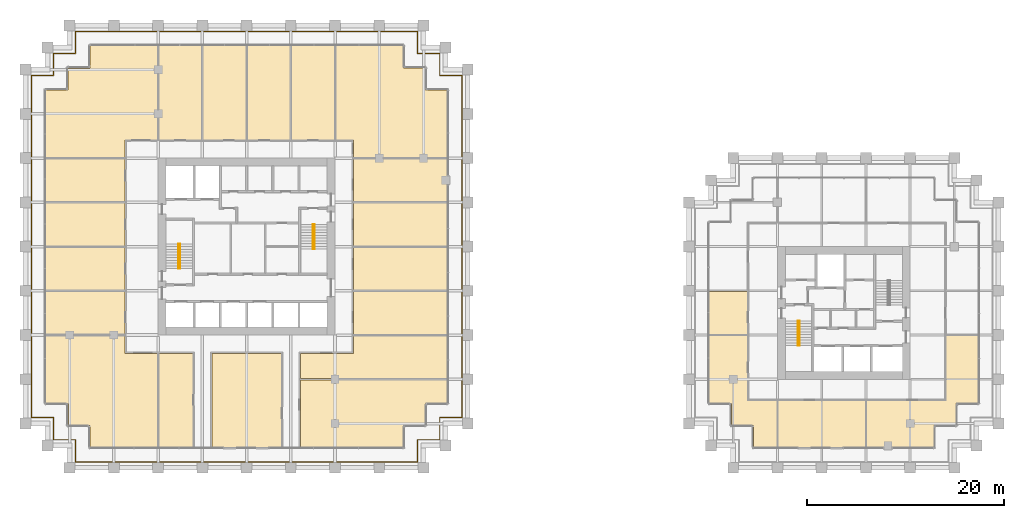
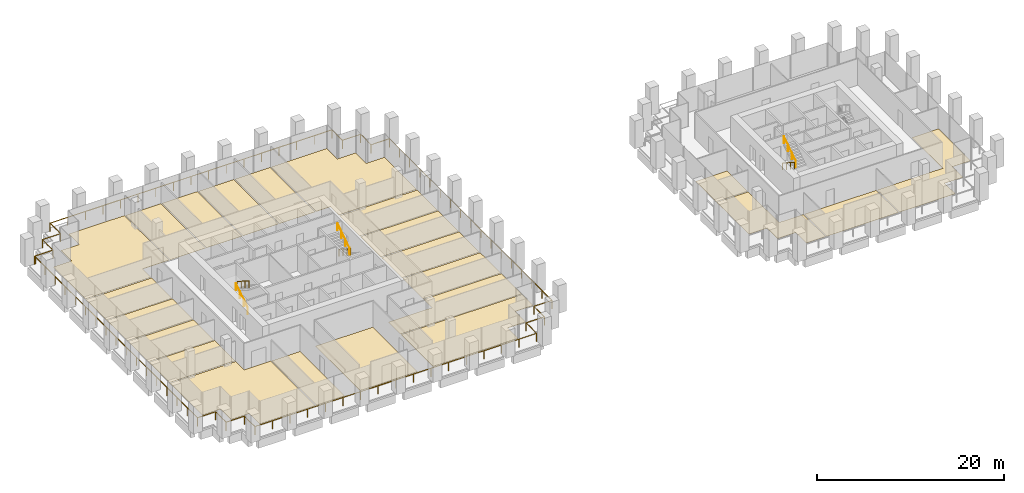
# One storey, part 55 of 56: 23 coverings, 7 railings.
"""IFC4 building model written with IfcOpenShell, lengths in metres."""

from ifc_helpers import new_model, si_unit, direction, frame, origin, origin_2d, place, context, subcontext, project, spatial, polyline, circle, outline, extrude, source, transform, mapped, material, layer, layer_set, type_object, element, save


model = new_model("IFC4")

# Units and contexts
model_context = context("Model", 3, precision=1e-05, world=origin(), true_north=direction((0.0, 1.0)))
body_context = subcontext(model_context, "Body", "Model", "MODEL_VIEW")
ifc_project = project(units=[si_unit("LENGTHUNIT", "METRE"), si_unit("AREAUNIT", "SQUARE_METRE"), si_unit("VOLUMEUNIT", "CUBIC_METRE"), si_unit("PLANEANGLEUNIT", "RADIAN"), si_unit("MASSUNIT", "GRAM", prefix="KILO")], contexts=[model_context])

# Site, building, storey
site_placement = place(None, origin())
site = spatial("IfcSite", under=ifc_project, at=site_placement, CompositionType="ELEMENT")
building_placement = place(site_placement, origin())
building = spatial("IfcBuilding", under=site, at=building_placement, Name="Altepetl Exchange Towers", CompositionType="ELEMENT")
storey_placement = place(building_placement, frame((0.0, 0.0, 72.60009765625)))
storey = spatial("IfcBuildingStorey", under=building, at=storey_placement, Name="L17", CompositionType="ELEMENT", Elevation=72.60009765625)

# Coverings
ifc_material_1 = material(Name="Carpet tile")
ifc_layer_1 = layer(ifc_material_1, 0.02001953125)
ifc_layer_set_1 = layer_set([ifc_layer_1], Name="Carpet tile")
covering_type_1 = type_object("IfcCoveringType", Name="Carpet tile floor", PredefinedType="FLOORING", material=ifc_layer_set_1)
covering_1_placement = place(storey_placement, origin())
element("IfcCovering", 1, at=covering_1_placement, inside=storey, type_object=covering_type_1, Name="Print room floor finish A17.01", PredefinedType="FLOORING", context=body_context, shape_type="SweptSolid", body=[
    extrude(outline(polyline([(37.137451171875, 49.4375), (29.0625, 49.4375), (29.0625, 45.0625), (37.137451171875, 45.0625), (37.137451171875, 49.4375)])), origin(), (0.0, 0.0, 1.0), 0.02001953125),
])
covering_2_placement = place(storey_placement, origin())
element("IfcCovering", 2, at=covering_2_placement, inside=storey, type_object=covering_type_1, Name="Open office floor finish A17.03", PredefinedType="FLOORING", context=body_context, shape_type="SweptSolid", body=[
    extrude(outline(polyline([(37.137451171875, 40.4375), (29.0625, 40.4375), (29.0625, 33.5625), (31.3125, 33.5625), (31.3125, 31.3125), (33.5625, 31.3125), (33.5625, 29.0625), (40.4375, 29.0625), (40.4375, 38.637451171875), (37.137451171875, 38.637451171875), (37.137451171875, 40.4375)])), origin(), (0.0, 0.0, 1.0), 0.02001953125),
])
covering_3_placement = place(storey_placement, origin())
element("IfcCovering", 3, at=covering_3_placement, inside=storey, type_object=covering_type_1, Name="Print room floor finish A17.04", PredefinedType="FLOORING", context=body_context, shape_type="SweptSolid", body=[
    extrude(outline(polyline([(40.5625, 38.637451171875), (40.5625, 29.0625), (44.03759765625, 29.0625), (44.03759765625, 38.637451171875), (40.5625, 38.637451171875)])), origin(), (0.0, 0.0, 1.0), 0.02001953125),
])
covering_4_placement = place(storey_placement, origin())
element("IfcCovering", 4, at=covering_4_placement, inside=storey, type_object=covering_type_1, Name="Meeting room floor finish A17.07", PredefinedType="FLOORING", context=body_context, shape_type="SweptSolid", body=[
    extrude(outline(polyline([(69.9375, 40.4375), (60.362548828125, 40.4375), (60.362548828125, 38.637451171875), (54.96240234375, 38.637451171875), (54.96240234375, 36.0625), (69.9375, 36.0625), (69.9375, 40.4375)])), origin(), (0.0, 0.0, 1.0), 0.02001953125),
])
covering_5_placement = place(storey_placement, origin())
element("IfcCovering", 5, at=covering_5_placement, inside=storey, type_object=covering_type_1, Name="Huddle room floor finish A17.08", PredefinedType="FLOORING", context=body_context, shape_type="SweptSolid", body=[
    extrude(outline(polyline([(69.9375, 44.9375), (60.362548828125, 44.9375), (60.362548828125, 40.5625), (69.9375, 40.5625), (69.9375, 44.9375)])), origin(), (0.0, 0.0, 1.0), 0.02001953125),
])
covering_6_placement = place(storey_placement, origin())
element("IfcCovering", 6, at=covering_6_placement, inside=storey, type_object=covering_type_1, Name="Meeting room floor finish A17.09", PredefinedType="FLOORING", context=body_context, shape_type="SweptSolid", body=[
    extrude(outline(polyline([(69.9375, 49.4375), (60.362548828125, 49.4375), (60.362548828125, 45.0625), (69.9375, 45.0625), (69.9375, 49.4375)])), origin(), (0.0, 0.0, 1.0), 0.02001953125),
])
covering_7_placement = place(storey_placement, origin())
element("IfcCovering", 7, at=covering_7_placement, inside=storey, type_object=covering_type_1, Name="Huddle room floor finish A17.10", PredefinedType="FLOORING", context=body_context, shape_type="SweptSolid", body=[
    extrude(outline(polyline([(69.9375, 53.9375), (60.362548828125, 53.9375), (60.362548828125, 49.5625), (69.9375, 49.5625), (69.9375, 53.9375)])), origin(), (0.0, 0.0, 1.0), 0.02001953125),
])
covering_8_placement = place(storey_placement, origin())
element("IfcCovering", 8, at=covering_8_placement, inside=storey, type_object=covering_type_1, Name="Meeting room floor finish A17.11", PredefinedType="FLOORING", context=body_context, shape_type="SweptSolid", body=[
    extrude(outline(polyline([(69.9375, 58.4375), (60.362548828125, 58.4375), (60.362548828125, 54.0625), (69.9375, 54.0625), (69.9375, 58.4375)])), origin(), (0.0, 0.0, 1.0), 0.02001953125),
])
covering_9_placement = place(storey_placement, origin())
element("IfcCovering", 9, at=covering_9_placement, inside=storey, type_object=covering_type_1, Name="Huddle room floor finish A17.13", PredefinedType="FLOORING", context=body_context, shape_type="SweptSolid", body=[
    extrude(outline(polyline([(54.0625, 69.9375), (54.0625, 60.362548828125), (58.4375, 60.362548828125), (58.4375, 69.9375), (54.0625, 69.9375)])), origin(), (0.0, 0.0, 1.0), 0.02001953125),
])
covering_10_placement = place(storey_placement, origin())
element("IfcCovering", 10, at=covering_10_placement, inside=storey, type_object=covering_type_1, Name="Meeting room floor finish A17.14", PredefinedType="FLOORING", context=body_context, shape_type="SweptSolid", body=[
    extrude(outline(polyline([(49.5625, 69.9375), (49.5625, 60.362548828125), (53.9375, 60.362548828125), (53.9375, 69.9375), (49.5625, 69.9375)])), origin(), (0.0, 0.0, 1.0), 0.02001953125),
])
covering_11_placement = place(storey_placement, origin())
element("IfcCovering", 11, at=covering_11_placement, inside=storey, type_object=covering_type_1, Name="Huddle room floor finish A17.15", PredefinedType="FLOORING", context=body_context, shape_type="SweptSolid", body=[
    extrude(outline(polyline([(45.0625, 69.9375), (45.0625, 60.362548828125), (49.4375, 60.362548828125), (49.4375, 69.9375), (45.0625, 69.9375)])), origin(), (0.0, 0.0, 1.0), 0.02001953125),
])
covering_12_placement = place(storey_placement, origin())
element("IfcCovering", 12, at=covering_12_placement, inside=storey, type_object=covering_type_1, Name="Meeting room floor finish A17.16", PredefinedType="FLOORING", context=body_context, shape_type="SweptSolid", body=[
    extrude(outline(polyline([(40.5625, 69.9375), (40.5625, 60.362548828125), (44.9375, 60.362548828125), (44.9375, 69.9375), (40.5625, 69.9375)])), origin(), (0.0, 0.0, 1.0), 0.02001953125),
])
covering_13_placement = place(storey_placement, origin())
element("IfcCovering", 13, at=covering_13_placement, inside=storey, type_object=covering_type_1, Name="Print room floor finish A17.18", PredefinedType="FLOORING", context=body_context, shape_type="SweptSolid", body=[
    extrude(outline(polyline([(37.137451171875, 58.4375), (29.0625, 58.4375), (29.0625, 54.0625), (37.137451171875, 54.0625), (37.137451171875, 58.4375)])), origin(), (0.0, 0.0, 1.0), 0.02001953125),
])
covering_14_placement = place(storey_placement, origin())
element("IfcCovering", 14, at=covering_14_placement, inside=storey, type_object=covering_type_1, Name="Conference room floor finish B17.01", PredefinedType="FLOORING", context=body_context, shape_type="SweptSolid", body=[
    extrude(outline(polyline([(103.4375, 29.0625), (103.4375, 33.83740234375), (100.4375, 33.83740234375), (100.4375, 40.4375), (96.5625, 40.4375), (96.5625, 33.5625), (98.8125, 33.5625), (98.8125, 31.3125), (101.0625, 31.3125), (101.0625, 29.0625), (103.4375, 29.0625)])), origin(), (0.0, 0.0, 1.0), 0.02001953125),
])
covering_15_placement = place(storey_placement, origin())
element("IfcCovering", 15, at=covering_15_placement, inside=storey, type_object=covering_type_1, Name="Huddle room floor finish B17.02", PredefinedType="FLOORING", context=body_context, shape_type="SweptSolid", body=[
    extrude(outline(polyline([(112.4375, 29.0625), (112.4375, 33.83740234375), (103.5625, 33.83740234375), (103.5625, 29.0625), (112.4375, 29.0625)])), origin(), (0.0, 0.0, 1.0), 0.02001953125),
])
covering_16_placement = place(storey_placement, origin())
element("IfcCovering", 16, at=covering_16_placement, inside=storey, type_object=covering_type_1, Name="Legal office floor finish B17.03", PredefinedType="FLOORING", context=body_context, shape_type="SweptSolid", body=[
    extrude(outline(polyline([(123.9375, 40.4375), (120.66259765625, 40.4375), (120.66259765625, 33.83740234375), (112.5625, 33.83740234375), (112.5625, 29.0625), (119.4375, 29.0625), (119.4375, 31.3125), (121.6875, 31.3125), (121.6875, 33.5625), (123.9375, 33.5625), (123.9375, 40.4375)])), origin(), (0.0, 0.0, 1.0), 0.02001953125),
])
covering_17_placement = place(storey_placement, origin())
element("IfcCovering", 17, at=covering_17_placement, inside=storey, type_object=covering_type_1, Name="Print room floor finish B17.08", PredefinedType="FLOORING", context=body_context, shape_type="SweptSolid", body=[
    extrude(outline(polyline([(96.5625, 40.5625), (100.4375, 40.5625), (100.4375, 44.9375), (96.5625, 44.9375), (96.5625, 40.5625)])), origin(), (0.0, 0.0, 1.0), 0.02001953125),
])
ifc_material_2 = material(Name="Calcium sulphate access floor panel")
ifc_layer_2 = layer(ifc_material_2, 0.0400390625)
ifc_layer_set_2 = layer_set([ifc_layer_2], Name="Calcium sulphate access floor panel")
covering_type_2 = type_object("IfcCoveringType", Name="Raised access floor panels", PredefinedType="FLOORING", material=ifc_layer_set_2)
covering_18_placement = place(storey_placement, origin())
element("IfcCovering", 18, at=covering_18_placement, inside=storey, type_object=covering_type_2, Name="Data room floor finish A17.02", PredefinedType="FLOORING", context=body_context, shape_type="SweptSolid", body=[
    extrude(outline(polyline([(37.137451171875, 44.9375), (29.0625, 44.9375), (29.0625, 40.5625), (37.137451171875, 40.5625), (37.137451171875, 44.9375)])), origin(), (0.0, 0.0, 1.0), 0.039794921875),
])
covering_19_placement = place(storey_placement, origin())
element("IfcCovering", 19, at=covering_19_placement, inside=storey, type_object=covering_type_2, Name="Clearing office floor finish A17.05", PredefinedType="FLOORING", context=body_context, shape_type="SweptSolid", body=[
    extrude(outline(polyline([(45.96240234375, 38.637451171875), (45.96240234375, 29.0625), (53.03759765625, 29.0625), (53.03759765625, 38.637451171875), (45.96240234375, 38.637451171875)])), origin(), (0.0, 0.0, 1.0), 0.039794921875),
])
covering_20_placement = place(storey_placement, origin())
element("IfcCovering", 20, at=covering_20_placement, inside=storey, type_object=covering_type_2, Name="Settlement office floor finish A17.06", PredefinedType="FLOORING", context=body_context, shape_type="SweptSolid", body=[
    extrude(outline(polyline([(69.9375, 35.9375), (54.96240234375, 35.9375), (54.96240234375, 29.0625), (65.4375, 29.0625), (65.4375, 31.3125), (67.6875, 31.3125), (67.6875, 33.5625), (69.9375, 33.5625), (69.9375, 35.9375)])), origin(), (0.0, 0.0, 1.0), 0.039794921875),
])
covering_21_placement = place(storey_placement, origin())
element("IfcCovering", 21, at=covering_21_placement, inside=storey, type_object=covering_type_2, Name="Settlement office floor finish A17.12", PredefinedType="FLOORING", context=body_context, shape_type="SweptSolid", body=[
    extrude(outline(polyline([(69.9375, 58.5625), (69.9375, 65.4375), (67.6875, 65.4375), (67.6875, 67.6875), (65.4375, 67.6875), (65.4375, 69.9375), (58.5625, 69.9375), (58.5625, 60.362548828125), (60.362548828125, 60.362548828125), (60.362548828125, 58.5625), (69.9375, 58.5625)])), origin(), (0.0, 0.0, 1.0), 0.039794921875),
])
covering_22_placement = place(storey_placement, origin())
element("IfcCovering", 22, at=covering_22_placement, inside=storey, type_object=covering_type_2, Name="Clearing office floor finish A17.17", PredefinedType="FLOORING", context=body_context, shape_type="SweptSolid", body=[
    extrude(outline(polyline([(33.5625, 69.9375), (33.5625, 67.6875), (31.3125, 67.6875), (31.3125, 65.4375), (29.0625, 65.4375), (29.0625, 58.5625), (37.137451171875, 58.5625), (37.137451171875, 60.362548828125), (40.4375, 60.362548828125), (40.4375, 69.9375), (33.5625, 69.9375)])), origin(), (0.0, 0.0, 1.0), 0.039794921875),
])
covering_23_placement = place(storey_placement, origin())
element("IfcCovering", 23, at=covering_23_placement, inside=storey, type_object=covering_type_2, Name="Data room floor finish A17.19", PredefinedType="FLOORING", context=body_context, shape_type="SweptSolid", body=[
    extrude(outline(polyline([(37.137451171875, 53.9375), (29.0625, 53.9375), (29.0625, 49.5625), (37.137451171875, 49.5625), (37.137451171875, 53.9375)])), origin(), (0.0, 0.0, 1.0), 0.039794921875),
])

# Railings
ifc_material_3 = material(Name="Steel S355", Category="steel")
railing_type_1 = type_object("IfcRailingType", Name="Guard 1100 steel posts and rail", PredefinedType="GUARDRAIL", material=ifc_material_3)
shared_shape_1 = source(origin(), body_context, "Body", "SweptSolid", [
    extrude(circle(Radius=0.02099609375, at=origin_2d()), origin(), (0.0, 0.0, 1.0), 1.052001953125),
])
railing_1_placement = place(storey_placement, frame((27.60009765625, 66.89990234375, 0.0)))
element("IfcRailing", 24, at=railing_1_placement, inside=storey, type_object=railing_type_1, Name="Loggia guard", PredefinedType="GUARDRAIL", context=body_context, shape_type="SweptSolid", body=[
    extrude(circle(Radius=0.02392578125, at=origin_2d()), frame((0.0, 0.0, 1.076171875), z_axis=(0.0, -1.0, 0.0), x_axis=(1.0, 0.0, 0.0)), (0.0, 0.0, 1.0), 34.7998046875),
    extrude(circle(Radius=0.02392578125, at=origin_2d()), frame((0.0, -34.7998046875, 1.076171875), z_axis=(1.0, 0.0, 0.0), x_axis=(0.0, 1.0, 0.0)), (0.0, 0.0, 1.0), 2.25),
    extrude(circle(Radius=0.02392578125, at=origin_2d()), frame((2.25, -34.7998046875, 1.076171875), z_axis=(0.0, -1.0, 0.0), x_axis=(1.0, 0.0, 0.0)), (0.0, 0.0, 1.0), 2.25),
    extrude(circle(Radius=0.02392578125, at=origin_2d()), frame((2.25, -37.0498046875, 1.076171875), z_axis=(1.0, 0.0, 0.0), x_axis=(0.0, 1.0, 0.0)), (0.0, 0.0, 1.0), 2.25),
    extrude(circle(Radius=0.02392578125, at=origin_2d()), frame((4.5, -37.0498046875, 1.076171875), z_axis=(0.0, -1.0, 0.0), x_axis=(1.0, 0.0, 0.0)), (0.0, 0.0, 1.0), 2.25),
    extrude(circle(Radius=0.02392578125, at=origin_2d()), frame((4.5, -39.2998046875, 1.076171875), z_axis=(1.0, 0.0, 0.0), x_axis=(0.0, 1.0, 0.0)), (0.0, 0.0, 1.0), 34.7998046875),
    extrude(circle(Radius=0.02392578125, at=origin_2d()), frame((39.2998046875, -39.2998046875, 1.076171875), z_axis=(0.0, 1.0, 0.0), x_axis=(-1.0, 0.0, 0.0)), (0.0, 0.0, 1.0), 2.25),
    extrude(circle(Radius=0.02392578125, at=origin_2d()), frame((39.2998046875, -37.0498046875, 1.076171875), z_axis=(1.0, 0.0, 0.0), x_axis=(0.0, 1.0, 0.0)), (0.0, 0.0, 1.0), 2.25),
    extrude(circle(Radius=0.02392578125, at=origin_2d()), frame((41.5498046875, -37.0498046875, 1.076171875), z_axis=(0.0, 1.0, 0.0), x_axis=(-1.0, 0.0, 0.0)), (0.0, 0.0, 1.0), 2.25),
    extrude(circle(Radius=0.02392578125, at=origin_2d()), frame((41.5498046875, -34.7998046875, 1.076171875), z_axis=(1.0, 0.0, 0.0), x_axis=(0.0, 1.0, 0.0)), (0.0, 0.0, 1.0), 2.25),
    extrude(circle(Radius=0.02392578125, at=origin_2d()), frame((43.7998046875, -34.7998046875, 1.076171875), z_axis=(0.0, 1.0, 0.0), x_axis=(-1.0, 0.0, 0.0)), (0.0, 0.0, 1.0), 34.7998046875),
    extrude(circle(Radius=0.02392578125, at=origin_2d()), frame((43.7998046875, 0.0, 1.076171875), z_axis=(-1.0, 0.0, 0.0), x_axis=(0.0, -1.0, 0.0)), (0.0, 0.0, 1.0), 2.25),
    extrude(circle(Radius=0.02392578125, at=origin_2d()), frame((41.5498046875, 0.0, 1.076171875), z_axis=(0.0, 1.0, 0.0), x_axis=(-1.0, 0.0, 0.0)), (0.0, 0.0, 1.0), 2.25),
    extrude(circle(Radius=0.02392578125, at=origin_2d()), frame((41.5498046875, 2.25, 1.076171875), z_axis=(-1.0, 0.0, 0.0), x_axis=(0.0, -1.0, 0.0)), (0.0, 0.0, 1.0), 2.25),
    extrude(circle(Radius=0.02392578125, at=origin_2d()), frame((39.2998046875, 2.25, 1.076171875), z_axis=(0.0, 1.0, 0.0), x_axis=(-1.0, 0.0, 0.0)), (0.0, 0.0, 1.0), 2.25),
    extrude(circle(Radius=0.02392578125, at=origin_2d()), frame((39.2998046875, 4.5, 1.076171875), z_axis=(-1.0, 0.0, 0.0), x_axis=(0.0, -1.0, 0.0)), (0.0, 0.0, 1.0), 34.7998046875),
    extrude(circle(Radius=0.02392578125, at=origin_2d()), frame((4.5, 4.5, 1.076171875), z_axis=(0.0, -1.0, 0.0), x_axis=(1.0, 0.0, 0.0)), (0.0, 0.0, 1.0), 2.25),
    extrude(circle(Radius=0.02392578125, at=origin_2d()), frame((4.5, 2.25, 1.076171875), z_axis=(-1.0, 0.0, 0.0), x_axis=(0.0, -1.0, 0.0)), (0.0, 0.0, 1.0), 2.25),
    extrude(circle(Radius=0.02392578125, at=origin_2d()), frame((2.25, 2.25, 1.076171875), z_axis=(0.0, -1.0, 0.0), x_axis=(1.0, 0.0, 0.0)), (0.0, 0.0, 1.0), 2.25),
    extrude(circle(Radius=0.02392578125, at=origin_2d()), frame((2.25, 0.0, 1.076171875), z_axis=(-1.0, 0.0, 0.0), x_axis=(0.0, -1.0, 0.0)), (0.0, 0.0, 1.0), 2.150146484375),
    mapped(shared_shape_1, transform((0.0, 0.0, 0.0))),
    mapped(shared_shape_1, transform((0.0, -2.175048828125, 0.0))),
    mapped(shared_shape_1, transform((0.0, -4.35009765625, 0.0))),
    mapped(shared_shape_1, transform((0.0, -6.52490234375, 0.0))),
    mapped(shared_shape_1, transform((0.0, -8.699951171875, 0.0))),
    mapped(shared_shape_1, transform((0.0, -10.875, 0.0))),
    mapped(shared_shape_1, transform((0.0, -13.0498046875, 0.0))),
    mapped(shared_shape_1, transform((0.0, -15.224853515625, 0.0))),
    mapped(shared_shape_1, transform((0.0, -17.39990234375, 0.0))),
    mapped(shared_shape_1, transform((0.0, -19.574951171875, 0.0))),
    mapped(shared_shape_1, transform((0.0, -21.75, 0.0))),
    mapped(shared_shape_1, transform((0.0, -23.9248046875, 0.0))),
    mapped(shared_shape_1, transform((0.0, -26.099853515625, 0.0))),
    mapped(shared_shape_1, transform((0.0, -28.27490234375, 0.0))),
    mapped(shared_shape_1, transform((0.0, -30.44970703125, 0.0))),
    mapped(shared_shape_1, transform((0.0, -32.624755859375, 0.0))),
    mapped(shared_shape_1, transform((0.0, -34.7998046875, 0.0))),
    mapped(shared_shape_1, transform((2.25, -34.7998046875, 0.0))),
    mapped(shared_shape_1, transform((2.25, -37.0498046875, 0.0))),
    mapped(shared_shape_1, transform((4.5, -37.0498046875, 0.0))),
    mapped(shared_shape_1, transform((4.5, -39.2998046875, 0.0))),
    mapped(shared_shape_1, transform((6.675048828125, -39.2998046875, 0.0))),
    mapped(shared_shape_1, transform((8.85009765625, -39.2998046875, 0.0))),
    mapped(shared_shape_1, transform((11.02490234375, -39.2998046875, 0.0))),
    mapped(shared_shape_1, transform((13.199951171875, -39.2998046875, 0.0))),
    mapped(shared_shape_1, transform((15.375, -39.2998046875, 0.0))),
    mapped(shared_shape_1, transform((17.5498046875, -39.2998046875, 0.0))),
    mapped(shared_shape_1, transform((19.724853515625, -39.2998046875, 0.0))),
    mapped(shared_shape_1, transform((21.89990234375, -39.2998046875, 0.0))),
    mapped(shared_shape_1, transform((24.074951171875, -39.2998046875, 0.0))),
    mapped(shared_shape_1, transform((26.25, -39.2998046875, 0.0))),
    mapped(shared_shape_1, transform((28.4248046875, -39.2998046875, 0.0))),
    mapped(shared_shape_1, transform((30.599853515625, -39.2998046875, 0.0))),
    mapped(shared_shape_1, transform((32.77490234375, -39.2998046875, 0.0))),
    mapped(shared_shape_1, transform((34.94970703125, -39.2998046875, 0.0))),
    mapped(shared_shape_1, transform((37.124755859375, -39.2998046875, 0.0))),
    mapped(shared_shape_1, transform((39.2998046875, -39.2998046875, 0.0))),
    mapped(shared_shape_1, transform((39.2998046875, -37.0498046875, 0.0))),
    mapped(shared_shape_1, transform((41.5498046875, -37.0498046875, 0.0))),
    mapped(shared_shape_1, transform((41.5498046875, -34.7998046875, 0.0))),
    mapped(shared_shape_1, transform((43.7998046875, -34.7998046875, 0.0))),
    mapped(shared_shape_1, transform((43.7998046875, -32.624755859375, 0.0))),
    mapped(shared_shape_1, transform((43.7998046875, -30.44970703125, 0.0))),
    mapped(shared_shape_1, transform((43.7998046875, -28.27490234375, 0.0))),
    mapped(shared_shape_1, transform((43.7998046875, -26.099853515625, 0.0))),
    mapped(shared_shape_1, transform((43.7998046875, -23.9248046875, 0.0))),
    mapped(shared_shape_1, transform((43.7998046875, -21.75, 0.0))),
    mapped(shared_shape_1, transform((43.7998046875, -19.574951171875, 0.0))),
    mapped(shared_shape_1, transform((43.7998046875, -17.39990234375, 0.0))),
    mapped(shared_shape_1, transform((43.7998046875, -15.224853515625, 0.0))),
    mapped(shared_shape_1, transform((43.7998046875, -13.0498046875, 0.0))),
    mapped(shared_shape_1, transform((43.7998046875, -10.875, 0.0))),
    mapped(shared_shape_1, transform((43.7998046875, -8.699951171875, 0.0))),
    mapped(shared_shape_1, transform((43.7998046875, -6.52490234375, 0.0))),
    mapped(shared_shape_1, transform((43.7998046875, -4.35009765625, 0.0))),
    mapped(shared_shape_1, transform((43.7998046875, -2.175048828125, 0.0))),
    mapped(shared_shape_1, transform((43.7998046875, 0.0, 0.0))),
    mapped(shared_shape_1, transform((41.5498046875, 0.0, 0.0))),
    mapped(shared_shape_1, transform((41.5498046875, 2.25, 0.0))),
    mapped(shared_shape_1, transform((39.2998046875, 2.25, 0.0))),
    mapped(shared_shape_1, transform((39.2998046875, 4.5, 0.0))),
    mapped(shared_shape_1, transform((37.124755859375, 4.5, 0.0))),
    mapped(shared_shape_1, transform((34.94970703125, 4.5, 0.0))),
    mapped(shared_shape_1, transform((32.77490234375, 4.5, 0.0))),
    mapped(shared_shape_1, transform((30.599853515625, 4.5, 0.0))),
    mapped(shared_shape_1, transform((28.4248046875, 4.5, 0.0))),
    mapped(shared_shape_1, transform((26.25, 4.5, 0.0))),
    mapped(shared_shape_1, transform((24.074951171875, 4.5, 0.0))),
    mapped(shared_shape_1, transform((21.89990234375, 4.5, 0.0))),
    mapped(shared_shape_1, transform((19.724853515625, 4.5, 0.0))),
    mapped(shared_shape_1, transform((17.5498046875, 4.5, 0.0))),
    mapped(shared_shape_1, transform((15.375, 4.5, 0.0))),
    mapped(shared_shape_1, transform((13.199951171875, 4.5, 0.0))),
    mapped(shared_shape_1, transform((11.02490234375, 4.5, 0.0))),
    mapped(shared_shape_1, transform((8.85009765625, 4.5, 0.0))),
    mapped(shared_shape_1, transform((6.675048828125, 4.5, 0.0))),
    mapped(shared_shape_1, transform((4.5, 4.5, 0.0))),
    mapped(shared_shape_1, transform((4.5, 2.25, 0.0))),
    mapped(shared_shape_1, transform((2.25, 2.25, 0.0))),
    mapped(shared_shape_1, transform((2.25, 0.0, 0.0))),
    mapped(shared_shape_1, transform((0.099853515625, 0.0, 0.0))),
])
ifc_material_4 = material(Name="Steel", Category="steel")
railing_type_2 = type_object("IfcRailingType", Name="Stair handrail 50 steel tube", PredefinedType="HANDRAIL", material=ifc_material_4)
shared_shape_2 = source(origin(), body_context, "Body", "SweptSolid", [
    extrude(circle(Radius=0.02099609375, at=origin_2d()), origin(), (0.0, 0.0, 1.0), 0.851806640625),
])
railing_2_placement = place(storey_placement, frame((42.570068359375, 47.25, 0.179931640625)))
element("IfcRailing", 25, at=railing_2_placement, inside=storey, type_object=railing_type_2, Name="Stair handrail", PredefinedType="HANDRAIL", context=body_context, shape_type="SweptSolid", body=[
    extrude(circle(Radius=0.02392578125, at=origin_2d()), frame((0.0, 0.0, 0.8759765625), z_axis=(0.0, 0.841199657755, 0.540724639528), x_axis=(-1.0, 0.0, 0.0)), (0.0, 0.0, 1.0), 2.995849609375),
    mapped(shared_shape_2, transform((0.0, 0.0, 0.0))),
    mapped(shared_shape_2, transform((0.0, 0.840087890625, 0.5400390625))),
    mapped(shared_shape_2, transform((0.0, 1.679931640625, 1.079833984375))),
    mapped(shared_shape_2, transform((0.0, 2.52001953125, 1.619873046875))),
])
for number, where, name in (
    (26, (42.72998046875, 49.77001953125, 1.97998046875), "Stair handrail"),
    (27, (56.429931640625, 51.75, 0.179931640625), "Stair handrail"),
):
    element("IfcRailing", number, at=place(storey_placement, frame(where)), inside=storey, type_object=railing_type_2, Name=name, PredefinedType="HANDRAIL", context=body_context, shape_type="SweptSolid", body=[
        extrude(circle(Radius=0.02392578125, at=origin_2d()), frame((0.0, 0.0, 0.8759765625), z_axis=(0.0, -0.841199657755, 0.540724639528), x_axis=(1.0, 0.0, 0.0)), (0.0, 0.0, 1.0), 2.995849609375),
        mapped(shared_shape_2, transform((0.0, 0.0, 0.0))),
        mapped(shared_shape_2, transform((0.0, -0.840087890625, 0.5400390625))),
        mapped(shared_shape_2, transform((0.0, -1.679931640625, 1.079833984375))),
        mapped(shared_shape_2, transform((0.0, -2.52001953125, 1.619873046875))),
    ])
railing_3_placement = place(storey_placement, frame((56.27001953125, 49.22998046875, 1.97998046875)))
element("IfcRailing", 28, at=railing_3_placement, inside=storey, type_object=railing_type_2, Name="Stair handrail", PredefinedType="HANDRAIL", context=body_context, shape_type="SweptSolid", body=[
    extrude(circle(Radius=0.02392578125, at=origin_2d()), frame((0.0, 0.0, 0.8759765625), z_axis=(0.0, 0.841199657755, 0.540724639528), x_axis=(-1.0, 0.0, 0.0)), (0.0, 0.0, 1.0), 2.995849609375),
    mapped(shared_shape_2, transform((0.0, 0.0, 0.0))),
    mapped(shared_shape_2, transform((0.0, 0.840087890625, 0.5400390625))),
    mapped(shared_shape_2, transform((0.0, 1.679931640625, 1.079833984375))),
    mapped(shared_shape_2, transform((0.0, 2.52001953125, 1.619873046875))),
])
railing_4_placement = place(storey_placement, frame((105.570068359375, 41.949951171875, 0.179931640625)))
element("IfcRailing", 29, at=railing_4_placement, inside=storey, type_object=railing_type_2, Name="Stair handrail", PredefinedType="HANDRAIL", context=body_context, shape_type="SweptSolid", body=[
    extrude(circle(Radius=0.02392578125, at=origin_2d()), frame((0.0, 0.0, 0.8759765625), z_axis=(0.0, -0.841199657755, 0.540724639528), x_axis=(1.0, 0.0, 0.0)), (0.0, 0.0, 1.0), 2.995849609375),
    mapped(shared_shape_2, transform((0.0, 0.0, 0.0))),
    mapped(shared_shape_2, transform((0.0, -0.840087890625, 0.5400390625))),
    mapped(shared_shape_2, transform((0.0, -1.679931640625, 1.079833984375))),
    mapped(shared_shape_2, transform((0.0, -2.52001953125, 1.619873046875))),
])
railing_5_placement = place(storey_placement, frame((105.72998046875, 39.429931640625, 1.97998046875)))
element("IfcRailing", 30, at=railing_5_placement, inside=storey, type_object=railing_type_2, Name="Stair handrail", PredefinedType="HANDRAIL", context=body_context, shape_type="SweptSolid", body=[
    extrude(circle(Radius=0.02392578125, at=origin_2d()), frame((0.0, 0.0, 0.8759765625), z_axis=(0.0, 0.841199657755, 0.540724639528), x_axis=(-1.0, 0.0, 0.0)), (0.0, 0.0, 1.0), 2.995849609375),
    mapped(shared_shape_2, transform((0.0, 0.0, 0.0))),
    mapped(shared_shape_2, transform((0.0, 0.840087890625, 0.5400390625))),
    mapped(shared_shape_2, transform((0.0, 1.679931640625, 1.079833984375))),
    mapped(shared_shape_2, transform((0.0, 2.52001953125, 1.619873046875))),
])

save(model, "model.ifc")
